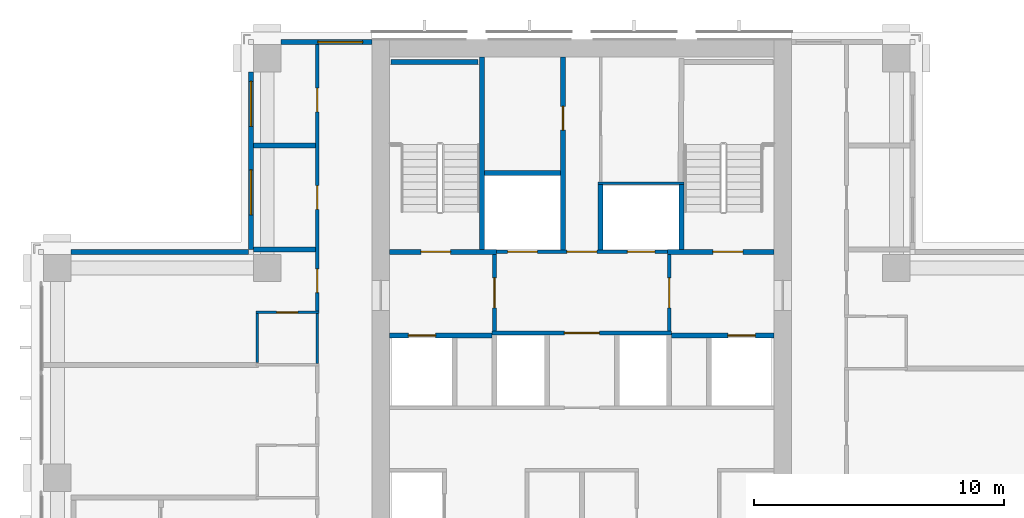
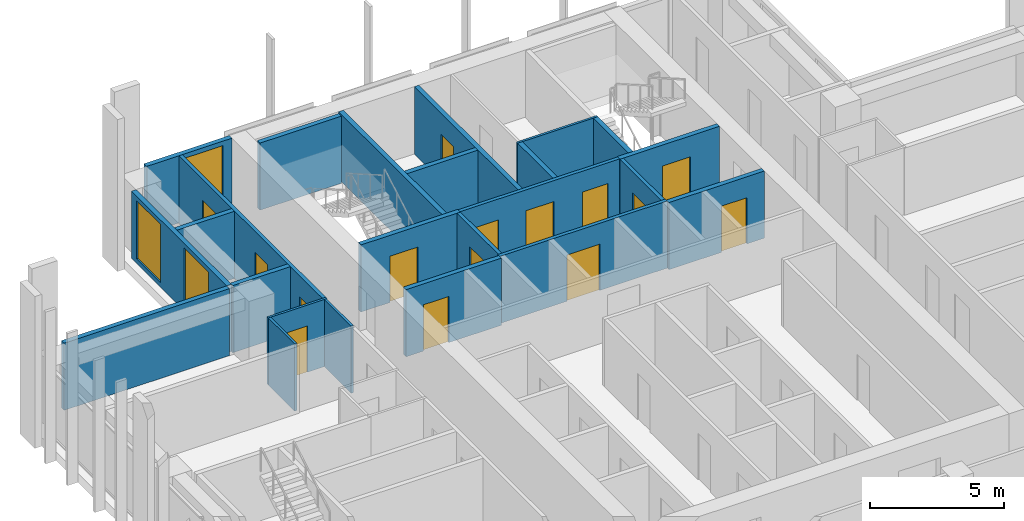
# One storey, part 12 of 17: 24 walls, 15 doors, 3 windows, 18 openings.
"""IFC4 building model written with IfcOpenShell, lengths in metres."""

import ifcopenshell
import ifcopenshell.guid

model = None  # the IFC model being written
_history = None  # IfcOwnerHistory: only IFC2X3 demands one
_inside = {}  # id of a spatial element -> (the spatial element, [elements in it])
_under = {}  # id of a project, library or spatial element -> (it, [spatial elements below it])
_declared = {}  # id of a project -> (the project, [libraries it declares])
_typed = {}  # id of a type object -> (the type object, [elements of that type])
_made_of = {}  # id of a material, layer set ... -> (it, [elements and type objects made of it])


def new_model(schema):
    """Start an empty IFC model of exactly this schema.

    Asked for "IFC4X3", IfcOpenShell would pick the latest addendum, in which some entities
    have other attributes; the version numbers below select the first issue.
    IFC2X3 requires an IfcOwnerHistory on every rooted entity: one is made here for all.
    """
    global model, _history
    if schema == "IFC4X3":
        model = ifcopenshell.file(schema_version=(4, 3, 0, 0))
    else:
        model = ifcopenshell.file(schema=schema)
    _inside.clear()
    _under.clear()
    _declared.clear()
    _typed.clear()
    _made_of.clear()
    _history = None
    if model.schema == "IFC2X3":
        org = make("IfcOrganization", Name="unknown")
        user = make(
            "IfcPersonAndOrganization",
            ThePerson=make("IfcPerson", FamilyName="unknown"),
            TheOrganization=org,
        )
        app = make(
            "IfcApplication",
            ApplicationDeveloper=org,
            Version="unknown",
            ApplicationFullName="unknown",
            ApplicationIdentifier="unknown",
        )
        _history = make(
            "IfcOwnerHistory",
            OwningUser=user,
            OwningApplication=app,
            ChangeAction="ADDED",
            CreationDate=0,
        )
    return model


def make(cls, **values):
    """One entity of the class cls with the attributes given. An attribute that is None is left unset."""
    return model.create_entity(
        cls, **{name: value for name, value in values.items() if value is not None}
    )


def rooted(cls, **values):
    """An entity with a GlobalId (a new one), such as an element, a storey or a relation."""
    return make(cls, GlobalId=ifcopenshell.guid.new(), OwnerHistory=_history, **values)


def si_unit(unit_type, name, prefix=None):
    """IfcSIUnit, for example si_unit("LENGTHUNIT", "METRE", prefix="MILLI")."""
    return make("IfcSIUnit", UnitType=unit_type, Prefix=prefix, Name=name)


def assignment(units):
    """IfcUnitAssignment: the units of a project."""
    return None if units is None else make("IfcUnitAssignment", Units=units)


def point(xyz):
    """IfcCartesianPoint."""
    return None if xyz is None else make("IfcCartesianPoint", Coordinates=xyz)


def direction(xyz):
    """IfcDirection."""
    return None if xyz is None else make("IfcDirection", DirectionRatios=xyz)


def frame(location, z_axis=None, x_axis=None):
    """IfcAxis2Placement3D, a coordinate frame: its origin and axes. An axis left out is left unset."""
    return make(
        "IfcAxis2Placement3D",
        Location=point(location),
        Axis=direction(z_axis),
        RefDirection=direction(x_axis),
    )


def frame_2d(location, x_axis=None):
    """IfcAxis2Placement2D, a coordinate frame in the plane: its origin and x axis."""
    return make(
        "IfcAxis2Placement2D", Location=point(location), RefDirection=direction(x_axis)
    )


def origin():
    """The frame at (0, 0, 0) with its axes left unset."""
    return frame((0.0, 0.0, 0.0))


def place(relative_to, where):
    """IfcLocalPlacement: puts the frame where relative to a parent placement (None: the world)."""
    return make(
        "IfcLocalPlacement", PlacementRelTo=relative_to, RelativePlacement=where
    )


def context(
    kind, dimensions, precision=None, world=None, true_north=None, identifier=None
):
    """IfcGeometricRepresentationContext, for example the 3D "Model" context."""
    return make(
        "IfcGeometricRepresentationContext",
        ContextIdentifier=identifier,
        ContextType=kind,
        CoordinateSpaceDimension=dimensions,
        Precision=precision,
        WorldCoordinateSystem=world,
        TrueNorth=true_north,
    )


def subcontext(parent, identifier, kind, view, scale=None):
    """IfcGeometricRepresentationSubContext, for example "Body" below "Model"."""
    return make(
        "IfcGeometricRepresentationSubContext",
        ContextIdentifier=identifier,
        ContextType=kind,
        ParentContext=parent,
        TargetScale=scale,
        TargetView=view,
    )


def project(units=None, contexts=None):
    """IfcProject with its units and contexts."""
    return rooted(
        "IfcProject",
        Name="project",
        RepresentationContexts=contexts,
        UnitsInContext=assignment(units),
    )


def spatial(cls, under=None, at=None, **own):
    """A site, building, storey or space (cls), placed at a placement, below another one or the project."""
    s = rooted(cls, ObjectPlacement=at, **own)
    if under is not None:
        _under.setdefault(under.id(), (under, []))[1].append(s)
    return s


def profile(cls, at=None, kind="AREA", **sizes):
    """A parametric profile (cls). Its sizes go by their IFC names, for example OverallWidth=200.0."""
    return make(cls, ProfileType=kind, Position=at, **sizes)


def rectangle(**sizes):
    """IfcRectangleProfileDef."""
    return profile("IfcRectangleProfileDef", **sizes)


def extrude(swept, where, along, depth):
    """IfcExtrudedAreaSolid: the profile swept, set in the frame where, extruded along a direction by depth."""
    return make(
        "IfcExtrudedAreaSolid",
        SweptArea=swept,
        Position=where,
        ExtrudedDirection=direction(along),
        Depth=depth,
    )


def shape(context_of_items, identifier, shape_type, items):
    """IfcShapeRepresentation: the items that make up one representation, for example the "Body"."""
    return make(
        "IfcShapeRepresentation",
        ContextOfItems=context_of_items,
        RepresentationIdentifier=identifier,
        RepresentationType=shape_type,
        Items=items,
    )


def material(Name=None, Category=None):
    """IfcMaterial."""
    return make("IfcMaterial", Name=Name, Category=Category)


def layer(
    of_material, thickness, ventilated=None, Name=None, Category=None, Priority=None
):
    """IfcMaterialLayer: one layer of a wall or slab, of a material (None: an air gap)."""
    return make(
        "IfcMaterialLayer",
        Material=of_material,
        LayerThickness=thickness,
        IsVentilated=ventilated,
        Name=Name,
        Category=Category,
        Priority=Priority,
    )


def layer_set(layers, Name=None):
    """IfcMaterialLayerSet."""
    return make("IfcMaterialLayerSet", MaterialLayers=layers, LayerSetName=Name)


def made_of(thing, what):
    """Note that an element or type object is made of a material, layer set ...; save() writes the relation."""
    if what is not None:
        _made_of.setdefault(what.id(), (what, []))[1].append(thing)
    return thing


def type_object(cls, material=None, **own):
    """A type object (cls), such as IfcWallType, which elements share."""
    return made_of(rooted(cls, **own), material)


def element(
    cls,
    number,
    at=None,
    inside=None,
    cuts=None,
    type_object=None,
    material=None,
    context=None,
    identifier="Body",
    shape_type=None,
    held_by="IfcProductDefinitionShape",
    body=None,
    shapes=None,
    **own,
):
    """One element of the class cls, such as IfcWall. Its Tag is "e" and its number.

    at: its placement. inside: the storey or other place that contains it. cuts: it is an
    opening in that element (IfcRelVoidsElement). A single representation is given by context,
    identifier, shape_type and body (its items); several are given by shapes. held_by: the class
    of the entity that holds the representations. save() writes the other relations.
    """
    e = rooted(cls, Tag="e%d" % number, ObjectPlacement=at, **own)
    if body is not None:
        shapes = [shape(context, identifier, shape_type, body)]
    if shapes is not None:
        e.Representation = make(held_by, Representations=shapes)
    if inside is not None:
        _inside.setdefault(inside.id(), (inside, []))[1].append(e)
    if cuts is not None:
        rooted(
            "IfcRelVoidsElement", RelatingBuildingElement=cuts, RelatedOpeningElement=e
        )
    if type_object is not None:
        _typed.setdefault(type_object.id(), (type_object, []))[1].append(e)
    return made_of(e, material)


def fill(opening, filler):
    """IfcRelFillsElement: the door or window that sits in an opening."""
    return rooted(
        "IfcRelFillsElement",
        RelatingOpeningElement=opening,
        RelatedBuildingElement=filler,
    )


def aggregate(whole, parts):
    """IfcRelAggregates: a whole, such as a stair, and the parts it consists of."""
    return rooted("IfcRelAggregates", RelatingObject=whole, RelatedObjects=parts)


def save(model, path):
    """Write the relations noted so far, then the file.

    IfcRelAggregates (storeys below a building ...), IfcRelContainedInSpatialStructure (elements
    in a storey), IfcRelDefinesByType, IfcRelAssociatesMaterial and IfcRelDeclares: one each for
    every whole, place, type object, material and project.
    """
    for whole, parts in _under.values():
        aggregate(whole, parts)
    for where, things in _inside.values():
        rooted(
            "IfcRelContainedInSpatialStructure",
            RelatedElements=things,
            RelatingStructure=where,
        )
    for kind, things in _typed.values():
        rooted("IfcRelDefinesByType", RelatedObjects=things, RelatingType=kind)
    for what, things in _made_of.values():
        rooted("IfcRelAssociatesMaterial", RelatedObjects=things, RelatingMaterial=what)
    for by, libraries in _declared.values():
        rooted("IfcRelDeclares", RelatingContext=by, RelatedDefinitions=libraries)
    model.write(path)


model = new_model("IFC4")

# Units and contexts
model_context = context("Model", 3, precision=1e-05, world=origin(), true_north=direction((0.0, 1.0)))
body_context = subcontext(model_context, "Body", "Model", "MODEL_VIEW")
ifc_project = project(units=[si_unit("LENGTHUNIT", "METRE"), si_unit("AREAUNIT", "SQUARE_METRE"), si_unit("VOLUMEUNIT", "CUBIC_METRE"), si_unit("PLANEANGLEUNIT", "RADIAN"), si_unit("MASSUNIT", "GRAM", prefix="KILO")], contexts=[model_context])

# Site, building, storey
site_placement = place(None, origin())
site = spatial("IfcSite", under=ifc_project, at=site_placement, CompositionType="ELEMENT")
building_placement = place(site_placement, origin())
building = spatial("IfcBuilding", under=site, at=building_placement, Name="Vermilion Ogive Tower", CompositionType="ELEMENT")
storey_placement = place(building_placement, frame((0.0, 0.0, 157.25)))
storey = spatial("IfcBuildingStorey", under=building, at=storey_placement, Name="L40", CompositionType="ELEMENT", Elevation=157.25)

# Wall, opening, door
ifc_material_1 = material(Name="Gypsum board partition on steel studs", Category="steel")
ifc_layer_1 = layer(ifc_material_1, 0.10009765625)
ifc_layer_set_1 = layer_set([ifc_layer_1], Name="Partition 100 bath")
wall_type_1 = type_object("IfcWallType", Name="Partition 100 bath", PredefinedType="PARTITIONING", material=ifc_layer_set_1)
wall_1_placement = place(storey_placement, frame((-13.050048828125, 10.820068359375, 0.0), z_axis=(0.0, 0.0, 1.0), x_axis=(1.0, 0.0, 0.0)))
wall_1 = element("IfcWall", 1, at=wall_1_placement, inside=storey, type_object=wall_type_1, Name="L40-W-W035", PredefinedType="PARTITIONING", context=body_context, shape_type="SweptSolid", body=[
    extrude(rectangle(XDim=2.525146484375, YDim=0.10009765625, at=frame_2d((1.2626953125, 0.0))), origin(), (0.0, 0.0, 1.0), 3.050048828125),
])
opening_1_placement = place(wall_1_placement, frame((0.824951171875, 0.0, 0.0)))
opening_1 = element("IfcOpeningElement", 2, at=opening_1_placement, cuts=wall_1, Name="Opening D3G4006", PredefinedType="OPENING", context=body_context, shape_type="SweptSolid", body=[
    extrude(rectangle(XDim=0.85009765625, YDim=2.10009765625, at=frame_2d((0.425048828125, 1.050048828125))), frame((0.0, 0.06005859375, 0.0), z_axis=(0.0, -1.0, 0.0), x_axis=(1.0, 0.0, 0.0)), (0.0, 0.0, 1.0), 0.1201171875),
])
ifc_material_2 = material(Name="Timber door leaf", Category="wood")
door_type_1 = type_object("IfcDoorType", Name="Bath door 850 x 2100 FD30", OperationType="SINGLE_SWING_LEFT", PredefinedType="DOOR", material=ifc_material_2)
door_1_placement = place(opening_1_placement, origin())
door_1 = element("IfcDoor", 3, at=door_1_placement, inside=storey, type_object=door_type_1, Name="L40-D-D006", OperationType="SINGLE_SWING_RIGHT", OverallHeight=2.10009765625, OverallWidth=0.85009765625, PredefinedType="DOOR", context=body_context, shape_type="SweptSolid", body=[
    extrude(rectangle(XDim=0.85009765625, YDim=2.10009765625, at=frame_2d((0.425048828125, 1.050048828125))), frame((0.0, 0.02490234375, 0.0), z_axis=(0.0, -1.0, 0.0), x_axis=(1.0, 0.0, 0.0)), (0.0, 0.0, 1.0), 0.050048828125),
])
fill(opening_1, door_1)

# Walls
wall_2_placement = place(storey_placement, frame((-13.0, 8.820068359375, 0.0), z_axis=(0.0, 0.0, 1.0), x_axis=(0.0, 1.0, 0.0)))
element("IfcWall", 4, at=wall_2_placement, inside=storey, type_object=wall_type_1, Name="L40-W-W044", PredefinedType="PARTITIONING", context=body_context, shape_type="SweptSolid", body=[
    extrude(rectangle(XDim=1.949951171875, YDim=0.10009765625, at=frame_2d((0.97509765625, 0.0))), origin(), (0.0, 0.0, 1.0), 3.050048828125),
])
wall_3_placement = place(storey_placement, frame((-10.60009765625, 8.77001953125, 0.0), z_axis=(0.0, 0.0, 1.0), x_axis=(0.0, 1.0, 0.0)))
element("IfcWall", 5, at=wall_3_placement, inside=storey, type_object=wall_type_1, Name="L40-W-W052", PredefinedType="PARTITIONING", context=body_context, shape_type="SweptSolid", body=[
    extrude(rectangle(XDim=2.0, YDim=0.10009765625, at=frame_2d((1.0, 0.0))), origin(), (0.0, 0.0, 1.0), 3.050048828125),
])
wall_4_placement = place(storey_placement, frame((0.64990234375, 16.0, 0.0), z_axis=(0.0, 0.0, 1.0), x_axis=(1.0, 0.0, 0.0)))
element("IfcWall", 6, at=wall_4_placement, inside=storey, type_object=wall_type_1, Name="L40-CK-W-W018", PredefinedType="PARTITIONING", context=body_context, shape_type="SweptSolid", body=[
    extrude(rectangle(XDim=3.4501953125, YDim=0.10009765625, at=frame_2d((1.72509765625, 0.0))), origin(), (0.0, 0.0, 1.0), 3.050048828125),
])

# Wall, openings, doors
ifc_material_3 = material(Name="Gypsum board partition on steel studs", Category="steel")
ifc_layer_2 = layer(ifc_material_3, 0.14990234375)
ifc_layer_set_2 = layer_set([ifc_layer_2], Name="Partition 150 corridor")
wall_type_2 = type_object("IfcWallType", Name="Partition 150 corridor", PredefinedType="PARTITIONING", material=ifc_layer_set_2)
wall_5_placement = place(storey_placement, frame((-10.60009765625, 10.8701171875, 0.0), z_axis=(0.0, 0.0, 1.0), x_axis=(0.0, 1.0, 0.0)))
wall_5 = element("IfcWall", 7, at=wall_5_placement, inside=storey, type_object=wall_type_2, Name="L40-W-W053", PredefinedType="PARTITIONING", context=body_context, shape_type="SweptSolid", body=[
    extrude(rectangle(XDim=10.679931640625, YDim=0.14990234375, at=frame_2d((5.33984375, 0.0))), origin(), (0.0, 0.0, 1.0), 3.050048828125),
])
opening_2_placement = place(wall_5_placement, frame((0.739990234375, 0.0, 0.0)))
opening_2 = element("IfcOpeningElement", 8, at=opening_2_placement, cuts=wall_5, Name="Opening D3G4005", PredefinedType="OPENING", context=body_context, shape_type="SweptSolid", body=[
    extrude(rectangle(XDim=0.949951171875, YDim=2.10009765625, at=frame_2d((0.47509765625, 1.050048828125))), frame((0.0, 0.0849609375, 0.0), z_axis=(0.0, -1.0, 0.0), x_axis=(1.0, 0.0, 0.0)), (0.0, 0.0, 1.0), 0.169921875),
])
opening_3_placement = place(wall_5_placement, frame((4.079833984375, 0.0, 0.0)))
opening_3 = element("IfcOpeningElement", 9, at=opening_3_placement, cuts=wall_5, Name="Opening D3G4007", PredefinedType="OPENING", context=body_context, shape_type="SweptSolid", body=[
    extrude(rectangle(XDim=0.949951171875, YDim=2.10009765625, at=frame_2d((0.47509765625, 1.050048828125))), frame((0.0, 0.0849609375, 0.0), z_axis=(0.0, -1.0, 0.0), x_axis=(1.0, 0.0, 0.0)), (0.0, 0.0, 1.0), 0.169921875),
])
opening_4_placement = place(wall_5_placement, frame((7.97998046875, 0.0, 0.0)))
opening_4 = element("IfcOpeningElement", 10, at=opening_4_placement, cuts=wall_5, Name="Opening D3G4008", PredefinedType="OPENING", context=body_context, shape_type="SweptSolid", body=[
    extrude(rectangle(XDim=0.949951171875, YDim=2.10009765625, at=frame_2d((0.47509765625, 1.050048828125))), frame((0.0, 0.0849609375, 0.0), z_axis=(0.0, -1.0, 0.0), x_axis=(1.0, 0.0, 0.0)), (0.0, 0.0, 1.0), 0.169921875),
])
ifc_material_4 = material(Name="Timber door leaf", Category="wood")
door_type_2 = type_object("IfcDoorType", Name="Unit door 950 x 2100 FD30S", OperationType="SINGLE_SWING_LEFT", PredefinedType="DOOR", material=ifc_material_4)
door_2_placement = place(opening_2_placement, origin())
door_2 = element("IfcDoor", 11, at=door_2_placement, inside=storey, type_object=door_type_2, Name="L40-D-D005", OperationType="SINGLE_SWING_LEFT", OverallHeight=2.10009765625, OverallWidth=0.949951171875, PredefinedType="DOOR", context=body_context, shape_type="SweptSolid", body=[
    extrude(rectangle(XDim=0.949951171875, YDim=2.10009765625, at=frame_2d((0.47509765625, 1.050048828125))), frame((0.0, 0.02490234375, 0.0), z_axis=(0.0, -1.0, 0.0), x_axis=(1.0, 0.0, 0.0)), (0.0, 0.0, 1.0), 0.050048828125),
])
fill(opening_2, door_2)
door_3_placement = place(opening_3_placement, origin())
door_3 = element("IfcDoor", 12, at=door_3_placement, inside=storey, type_object=door_type_2, Name="L40-D-D007", OperationType="SINGLE_SWING_LEFT", OverallHeight=2.10009765625, OverallWidth=0.949951171875, PredefinedType="DOOR", context=body_context, shape_type="SweptSolid", body=[
    extrude(rectangle(XDim=0.949951171875, YDim=2.10009765625, at=frame_2d((0.47509765625, 1.050048828125))), frame((0.0, 0.02490234375, 0.0), z_axis=(0.0, -1.0, 0.0), x_axis=(1.0, 0.0, 0.0)), (0.0, 0.0, 1.0), 0.050048828125),
])
fill(opening_3, door_3)
door_4_placement = place(opening_4_placement, origin())
door_4 = element("IfcDoor", 13, at=door_4_placement, inside=storey, type_object=door_type_2, Name="L40-D-D008", OperationType="SINGLE_SWING_RIGHT", OverallHeight=2.10009765625, OverallWidth=0.949951171875, PredefinedType="DOOR", context=body_context, shape_type="SweptSolid", body=[
    extrude(rectangle(XDim=0.949951171875, YDim=2.10009765625, at=frame_2d((0.47509765625, 1.050048828125))), frame((0.0, 0.02490234375, 0.0), z_axis=(0.0, -1.0, 0.0), x_axis=(1.0, 0.0, 0.0)), (0.0, 0.0, 1.0), 0.050048828125),
])
fill(opening_4, door_4)

# Wall, opening, door
wall_6_placement = place(storey_placement, frame((-3.60009765625, 10.0, 0.0), z_axis=(0.0, 0.0, 1.0), x_axis=(1.0, 0.0, 0.0)))
wall_6 = element("IfcWall", 14, at=wall_6_placement, inside=storey, type_object=wall_type_2, Name="L40-CK-W-W014", PredefinedType="PARTITIONING", context=body_context, shape_type="SweptSolid", body=[
    extrude(rectangle(XDim=7.2001953125, YDim=0.14990234375, at=frame_2d((3.60009765625, 0.0))), origin(), (0.0, 0.0, 1.0), 3.050048828125),
])
opening_5_placement = place(wall_6_placement, frame((2.900146484375, 0.0, 0.0)))
opening_5 = element("IfcOpeningElement", 15, at=opening_5_placement, cuts=wall_6, Name="Opening DAA350", PredefinedType="OPENING", context=body_context, shape_type="SweptSolid", body=[
    extrude(rectangle(XDim=1.39990234375, YDim=2.10009765625, at=frame_2d((0.699951171875, 1.050048828125))), frame((0.0, 0.0849609375, 0.0), z_axis=(0.0, -1.0, 0.0), x_axis=(1.0, 0.0, 0.0)), (0.0, 0.0, 1.0), 0.169921875),
])
ifc_material_5 = material(Name="Timber door leaf", Category="wood")
door_type_3 = type_object("IfcDoorType", Name="Lobby door 1400 x 2100 FD60S", OperationType="SINGLE_SWING_LEFT", PredefinedType="DOOR", material=ifc_material_5)
door_5_placement = place(opening_5_placement, origin())
door_5 = element("IfcDoor", 16, at=door_5_placement, inside=storey, type_object=door_type_3, Name="L40-CK-D-D017", OperationType="SINGLE_SWING_RIGHT", OverallHeight=2.10009765625, OverallWidth=1.39990234375, PredefinedType="DOOR", context=body_context, shape_type="SweptSolid", body=[
    extrude(rectangle(XDim=1.39990234375, YDim=2.10009765625, at=frame_2d((0.699951171875, 1.050048828125))), frame((0.0, 0.02490234375, 0.0), z_axis=(0.0, -1.0, 0.0), x_axis=(1.0, 0.0, 0.0)), (0.0, 0.0, 1.0), 0.050048828125),
])
fill(opening_5, door_5)

# Wall, openings, doors
wall_7_placement = place(storey_placement, frame((-3.574951171875, 13.25, 0.0), z_axis=(0.0, 0.0, 1.0), x_axis=(1.0, 0.0, 0.0)))
wall_7 = element("IfcWall", 17, at=wall_7_placement, inside=storey, type_object=wall_type_2, Name="L40-CK-W-W016", PredefinedType="PARTITIONING", context=body_context, shape_type="SweptSolid", body=[
    extrude(rectangle(XDim=7.14990234375, YDim=0.14990234375, at=frame_2d((3.574951171875, 0.0))), origin(), (0.0, 0.0, 1.0), 3.050048828125),
])
opening_6_placement = place(wall_7_placement, frame((0.599853515625, 0.0, 0.0)))
opening_6 = element("IfcOpeningElement", 18, at=opening_6_placement, cuts=wall_7, Name="Opening DAA370", PredefinedType="OPENING", context=body_context, shape_type="SweptSolid", body=[
    extrude(rectangle(XDim=1.199951171875, YDim=2.10009765625, at=frame_2d((0.60009765625, 1.050048828125))), frame((0.0, 0.0849609375, 0.0), z_axis=(0.0, -1.0, 0.0), x_axis=(1.0, 0.0, 0.0)), (0.0, 0.0, 1.0), 0.169921875),
])
opening_7_placement = place(wall_7_placement, frame((5.39990234375, 0.0, 0.0)))
opening_7 = element("IfcOpeningElement", 19, at=opening_7_placement, cuts=wall_7, Name="Opening DAA369", PredefinedType="OPENING", context=body_context, shape_type="SweptSolid", body=[
    extrude(rectangle(XDim=1.10009765625, YDim=2.10009765625, at=frame_2d((0.550048828125, 1.050048828125))), frame((0.0, 0.0849609375, 0.0), z_axis=(0.0, -1.0, 0.0), x_axis=(1.0, 0.0, 0.0)), (0.0, 0.0, 1.0), 0.169921875),
])
opening_8_placement = place(wall_7_placement, frame((2.974853515625, 0.0, 0.0)))
opening_8 = element("IfcOpeningElement", 20, at=opening_8_placement, cuts=wall_7, Name="Opening DAA351", PredefinedType="OPENING", context=body_context, shape_type="SweptSolid", body=[
    extrude(rectangle(XDim=1.199951171875, YDim=2.10009765625, at=frame_2d((0.60009765625, 1.050048828125))), frame((0.0, 0.0849609375, 0.0), z_axis=(0.0, -1.0, 0.0), x_axis=(1.0, 0.0, 0.0)), (0.0, 0.0, 1.0), 0.169921875),
])
ifc_material_6 = material(Name="Stainless steel", Category="steel")
door_type_4 = type_object("IfcDoorType", Name="Lift landing door 1100 x 2100", OperationType="SLIDING_TO_LEFT", PredefinedType="DOOR", material=ifc_material_6)
door_6_placement = place(opening_7_placement, origin())
door_6 = element("IfcDoor", 21, at=door_6_placement, inside=storey, type_object=door_type_4, Name="L40-CK-D-D019", OperationType="SLIDING_TO_LEFT", OverallHeight=2.10009765625, OverallWidth=1.10009765625, PredefinedType="DOOR", context=body_context, shape_type="SweptSolid", body=[
    extrude(rectangle(XDim=1.10009765625, YDim=2.10009765625, at=frame_2d((0.550048828125, 1.050048828125))), frame((0.0, 0.02490234375, 0.0), z_axis=(0.0, -1.0, 0.0), x_axis=(1.0, 0.0, 0.0)), (0.0, 0.0, 1.0), 0.050048828125),
])
fill(opening_7, door_6)
ifc_material_7 = material(Name="Stainless steel", Category="steel")
door_type_5 = type_object("IfcDoorType", Name="Lift landing door 1200 x 2100", OperationType="SLIDING_TO_LEFT", PredefinedType="DOOR", material=ifc_material_7)
door_7_placement = place(opening_6_placement, origin())
door_7 = element("IfcDoor", 22, at=door_7_placement, inside=storey, type_object=door_type_5, Name="L40-CK-D-D018", OperationType="SLIDING_TO_RIGHT", OverallHeight=2.10009765625, OverallWidth=1.199951171875, PredefinedType="DOOR", context=body_context, shape_type="SweptSolid", body=[
    extrude(rectangle(XDim=1.199951171875, YDim=2.10009765625, at=frame_2d((0.60009765625, 1.050048828125))), frame((0.0, 0.02490234375, 0.0), z_axis=(0.0, -1.0, 0.0), x_axis=(1.0, 0.0, 0.0)), (0.0, 0.0, 1.0), 0.050048828125),
])
fill(opening_6, door_7)
ifc_material_8 = material(Name="Timber door leaf", Category="wood")
door_type_6 = type_object("IfcDoorType", Name="Service door 1200 x 2100 FD60", OperationType="SINGLE_SWING_LEFT", PredefinedType="DOOR", material=ifc_material_8)
door_8_placement = place(opening_8_placement, origin())
door_8 = element("IfcDoor", 23, at=door_8_placement, inside=storey, type_object=door_type_6, Name="L40-CK-D-D020", OperationType="SINGLE_SWING_RIGHT", OverallHeight=2.10009765625, OverallWidth=1.199951171875, PredefinedType="DOOR", context=body_context, shape_type="SweptSolid", body=[
    extrude(rectangle(XDim=1.199951171875, YDim=2.10009765625, at=frame_2d((0.60009765625, 1.050048828125))), frame((0.0, 0.02490234375, 0.0), z_axis=(0.0, -1.0, 0.0), x_axis=(1.0, 0.0, 0.0)), (0.0, 0.0, 1.0), 0.050048828125),
])
fill(opening_8, door_8)

# Wall, opening, door
wall_8_placement = place(storey_placement, frame((-3.5, 10.074951171875, 0.0), z_axis=(0.0, 0.0, 1.0), x_axis=(0.0, 1.0, 0.0)))
wall_8 = element("IfcWall", 24, at=wall_8_placement, inside=storey, type_object=wall_type_2, Name="L40-CK-W-W024", PredefinedType="PARTITIONING", context=body_context, shape_type="SweptSolid", body=[
    extrude(rectangle(XDim=3.074951171875, YDim=0.14990234375, at=frame_2d((1.53759765625, 0.0))), origin(), (0.0, 0.0, 1.0), 3.050048828125),
])
opening_9_placement = place(wall_8_placement, frame((0.925048828125, 0.0, 0.0)))
opening_9 = element("IfcOpeningElement", 25, at=opening_9_placement, cuts=wall_8, Name="Opening DAA347", PredefinedType="OPENING", context=body_context, shape_type="SweptSolid", body=[
    extrude(rectangle(XDim=1.199951171875, YDim=2.10009765625, at=frame_2d((0.60009765625, 1.050048828125))), frame((0.0, 0.0849609375, 0.0), z_axis=(0.0, -1.0, 0.0), x_axis=(1.0, 0.0, 0.0)), (0.0, 0.0, 1.0), 0.169921875),
])
ifc_material_9 = material(Name="Timber door leaf", Category="wood")
door_type_7 = type_object("IfcDoorType", Name="Lobby door 1200 x 2100 FD60S", OperationType="SINGLE_SWING_LEFT", PredefinedType="DOOR", material=ifc_material_9)
door_9_placement = place(opening_9_placement, origin())
door_9 = element("IfcDoor", 26, at=door_9_placement, inside=storey, type_object=door_type_7, Name="L40-CK-D-D023", OperationType="SINGLE_SWING_RIGHT", OverallHeight=2.10009765625, OverallWidth=1.199951171875, PredefinedType="DOOR", context=body_context, shape_type="SweptSolid", body=[
    extrude(rectangle(XDim=1.199951171875, YDim=2.10009765625, at=frame_2d((0.60009765625, 1.050048828125))), frame((0.0, 0.02490234375, 0.0), z_axis=(0.0, -1.0, 0.0), x_axis=(1.0, 0.0, 0.0)), (0.0, 0.0, 1.0), 0.050048828125),
])
fill(opening_9, door_9)

wall_9_placement = place(storey_placement, frame((3.5, 10.074951171875, 0.0), z_axis=(0.0, 0.0, 1.0), x_axis=(0.0, 1.0, 0.0)))
wall_9 = element("IfcWall", 27, at=wall_9_placement, inside=storey, type_object=wall_type_2, Name="L40-CK-W-W034", PredefinedType="PARTITIONING", context=body_context, shape_type="SweptSolid", body=[
    extrude(rectangle(XDim=3.074951171875, YDim=0.14990234375, at=frame_2d((1.53759765625, 0.0))), origin(), (0.0, 0.0, 1.0), 3.050048828125),
])
opening_10_placement = place(wall_9_placement, frame((0.925048828125, 0.0, 0.0)))
opening_10 = element("IfcOpeningElement", 28, at=opening_10_placement, cuts=wall_9, Name="Opening DAA348", PredefinedType="OPENING", context=body_context, shape_type="SweptSolid", body=[
    extrude(rectangle(XDim=1.199951171875, YDim=2.10009765625, at=frame_2d((0.60009765625, 1.050048828125))), frame((0.0, 0.0849609375, 0.0), z_axis=(0.0, -1.0, 0.0), x_axis=(1.0, 0.0, 0.0)), (0.0, 0.0, 1.0), 0.169921875),
])
door_10_placement = place(opening_10_placement, origin())
door_10 = element("IfcDoor", 29, at=door_10_placement, inside=storey, type_object=door_type_7, Name="L40-CK-D-D024", OperationType="SINGLE_SWING_LEFT", OverallHeight=2.10009765625, OverallWidth=1.199951171875, PredefinedType="DOOR", context=body_context, shape_type="SweptSolid", body=[
    extrude(rectangle(XDim=1.199951171875, YDim=2.10009765625, at=frame_2d((0.60009765625, 1.050048828125))), frame((0.0, 0.02490234375, 0.0), z_axis=(0.0, -1.0, 0.0), x_axis=(1.0, 0.0, 0.0)), (0.0, 0.0, 1.0), 0.050048828125),
])
fill(opening_10, door_10)

# Walls
ifc_material_10 = material(Name="Gypsum board partition on steel studs", Category="steel")
ifc_layer_3 = layer(ifc_material_10, 0.199951171875)
ifc_layer_set_3 = layer_set([ifc_layer_3], Name="Partition 200 party")
wall_type_3 = type_object("IfcWallType", Name="Partition 200 party", PredefinedType="PARTITIONING", material=ifc_layer_set_3)
for number, where, z_axis, x_axis, name in (
    (30, (-13.14990234375, 13.35009765625, 0.0), (0.0, 0.0, 1.0), (1.0, 0.0, 0.0), "L40-W-W036"),
    (31, (-13.14990234375, 17.5, 0.0), (0.0, 0.0, 1.0), (1.0, 0.0, 0.0), "L40-W-W038"),
):
    element("IfcWall", number, at=place(storey_placement, frame(where, z_axis=z_axis, x_axis=x_axis)), inside=storey, type_object=wall_type_3, Name=name, PredefinedType="PARTITIONING", context=body_context, shape_type="SweptSolid", body=[
        extrude(rectangle(XDim=2.474853515625, YDim=0.199951171875, at=frame_2d((1.2373046875, 0.0))), origin(), (0.0, 0.0, 1.0), 3.050048828125),
    ])

# Wall, opening, door
wall_10_placement = place(storey_placement, frame((-7.698974609375, 9.89990234375, 0.0), z_axis=(0.0, 0.0, 1.0), x_axis=(1.0, 0.0, 0.0)))
wall_10 = element("IfcWall", 32, at=wall_10_placement, inside=storey, type_object=wall_type_3, Name="L40-CK-W-W012", PredefinedType="PARTITIONING", context=body_context, shape_type="SweptSolid", body=[
    extrude(rectangle(XDim=4.098876953125, YDim=0.199951171875, at=frame_2d((2.04931640625, 0.0))), origin(), (0.0, 0.0, 1.0), 3.050048828125),
])
opening_11_placement = place(wall_10_placement, frame((0.7490234375, 0.0, 0.0)))
opening_11 = element("IfcOpeningElement", 33, at=opening_11_placement, cuts=wall_10, Name="Opening DAA367", PredefinedType="OPENING", context=body_context, shape_type="SweptSolid", body=[
    extrude(rectangle(XDim=1.10009765625, YDim=2.10009765625, at=frame_2d((0.550048828125, 1.050048828125))), frame((0.0, 0.10986328125, 0.0), z_axis=(0.0, -1.0, 0.0), x_axis=(1.0, 0.0, 0.0)), (0.0, 0.0, 1.0), 0.219970703125),
])
door_11_placement = place(opening_11_placement, origin())
door_11 = element("IfcDoor", 34, at=door_11_placement, inside=storey, type_object=door_type_4, Name="L40-CK-D-D013", OperationType="SLIDING_TO_RIGHT", OverallHeight=2.10009765625, OverallWidth=1.10009765625, PredefinedType="DOOR", context=body_context, shape_type="SweptSolid", body=[
    extrude(rectangle(XDim=1.10009765625, YDim=2.10009765625, at=frame_2d((0.550048828125, 1.050048828125))), frame((0.0, 0.02490234375, 0.0), z_axis=(0.0, -1.0, 0.0), x_axis=(1.0, 0.0, 0.0)), (0.0, 0.0, 1.0), 0.050048828125),
])
fill(opening_11, door_11)

wall_11_placement = place(storey_placement, frame((3.60009765625, 9.89990234375, 0.0), z_axis=(0.0, 0.0, 1.0), x_axis=(1.0, 0.0, 0.0)))
wall_11 = element("IfcWall", 35, at=wall_11_placement, inside=storey, type_object=wall_type_3, Name="L40-CK-W-W013", PredefinedType="PARTITIONING", context=body_context, shape_type="SweptSolid", body=[
    extrude(rectangle(XDim=4.098876953125, YDim=0.199951171875, at=frame_2d((2.04931640625, 0.0))), origin(), (0.0, 0.0, 1.0), 3.050048828125),
])
opening_12_placement = place(wall_11_placement, frame((2.25, 0.0, 0.0)))
opening_12 = element("IfcOpeningElement", 36, at=opening_12_placement, cuts=wall_11, Name="Opening DAA368", PredefinedType="OPENING", context=body_context, shape_type="SweptSolid", body=[
    extrude(rectangle(XDim=1.10009765625, YDim=2.10009765625, at=frame_2d((0.550048828125, 1.050048828125))), frame((0.0, 0.10986328125, 0.0), z_axis=(0.0, -1.0, 0.0), x_axis=(1.0, 0.0, 0.0)), (0.0, 0.0, 1.0), 0.219970703125),
])
door_12_placement = place(opening_12_placement, origin())
door_12 = element("IfcDoor", 37, at=door_12_placement, inside=storey, type_object=door_type_4, Name="L40-CK-D-D015", OperationType="SLIDING_TO_LEFT", OverallHeight=2.10009765625, OverallWidth=1.10009765625, PredefinedType="DOOR", context=body_context, shape_type="SweptSolid", body=[
    extrude(rectangle(XDim=1.10009765625, YDim=2.10009765625, at=frame_2d((0.550048828125, 1.050048828125))), frame((0.0, 0.02490234375, 0.0), z_axis=(0.0, -1.0, 0.0), x_axis=(1.0, 0.0, 0.0)), (0.0, 0.0, 1.0), 0.050048828125),
])
fill(opening_12, door_12)

# Wall
wall_12_placement = place(storey_placement, frame((-3.89990234375, 16.39990234375, 0.0), z_axis=(0.0, 0.0, 1.0), x_axis=(1.0, 0.0, 0.0)))
element("IfcWall", 38, at=wall_12_placement, inside=storey, type_object=wall_type_3, Name="L40-CK-W-W019", PredefinedType="PARTITIONING", context=body_context, shape_type="SweptSolid", body=[
    extrude(rectangle(XDim=3.0498046875, YDim=0.199951171875, at=frame_2d((1.52490234375, 0.0))), origin(), (0.0, 0.0, 1.0), 3.050048828125),
])

# Wall, opening, door
wall_13_placement = place(storey_placement, frame((-0.75, 13.324951171875, 0.0), z_axis=(0.0, 0.0, 1.0), x_axis=(0.0, 1.0, 0.0)))
wall_13 = element("IfcWall", 39, at=wall_13_placement, inside=storey, type_object=wall_type_3, Name="L40-CK-W-W027", PredefinedType="PARTITIONING", context=body_context, shape_type="SweptSolid", body=[
    extrude(rectangle(XDim=7.72412109375, YDim=0.199951171875, at=frame_2d((3.862060546875, 0.0))), origin(), (0.0, 0.0, 1.0), 3.050048828125),
])
opening_13_placement = place(wall_13_placement, frame((4.800048828125, 0.0, 0.0)))
opening_13 = element("IfcOpeningElement", 40, at=opening_13_placement, cuts=wall_13, Name="Opening DAA358", PredefinedType="OPENING", context=body_context, shape_type="SweptSolid", body=[
    extrude(rectangle(XDim=0.949951171875, YDim=2.10009765625, at=frame_2d((0.47509765625, 1.050048828125))), frame((0.0, 0.10986328125, 0.0), z_axis=(0.0, -1.0, 0.0), x_axis=(1.0, 0.0, 0.0)), (0.0, 0.0, 1.0), 0.219970703125),
])
ifc_material_11 = material(Name="Timber door leaf", Category="wood")
door_type_8 = type_object("IfcDoorType", Name="Service door 950 x 2100 FD60", OperationType="SINGLE_SWING_LEFT", PredefinedType="DOOR", material=ifc_material_11)
door_13_placement = place(opening_13_placement, origin())
door_13 = element("IfcDoor", 41, at=door_13_placement, inside=storey, type_object=door_type_8, Name="L40-CK-D-D021", OperationType="SINGLE_SWING_RIGHT", OverallHeight=2.10009765625, OverallWidth=0.949951171875, PredefinedType="DOOR", context=body_context, shape_type="SweptSolid", body=[
    extrude(rectangle(XDim=0.949951171875, YDim=2.10009765625, at=frame_2d((0.47509765625, 1.050048828125))), frame((0.0, 0.02490234375, 0.0), z_axis=(0.0, -1.0, 0.0), x_axis=(1.0, 0.0, 0.0)), (0.0, 0.0, 1.0), 0.050048828125),
])
fill(opening_13, door_13)

# Wall
wall_14_placement = place(storey_placement, frame((0.75, 13.324951171875, 0.0), z_axis=(0.0, 0.0, 1.0), x_axis=(0.0, 1.0, 0.0)))
element("IfcWall", 42, at=wall_14_placement, inside=storey, type_object=wall_type_3, Name="L40-CK-W-W029", PredefinedType="PARTITIONING", context=body_context, shape_type="SweptSolid", body=[
    extrude(rectangle(XDim=2.625, YDim=0.199951171875, at=frame_2d((1.3125, 0.0))), origin(), (0.0, 0.0, 1.0), 3.050048828125),
])

# Wall, opening, door
ifc_material_12 = material(Name="Concrete B60", Category="concrete")
ifc_layer_4 = layer(ifc_material_12, 0.199951171875)
ifc_layer_set_4 = layer_set([ifc_layer_4], Name="Stair shaft wall 200 Concrete B60")
wall_type_4 = type_object("IfcWallType", Name="Stair shaft wall 200 Concrete B60", PredefinedType="SOLIDWALL", material=ifc_layer_set_4)
wall_15_placement = place(storey_placement, frame((-7.698974609375, 13.25, 0.0), z_axis=(0.0, 0.0, 1.0), x_axis=(1.0, 0.0, 0.0)))
wall_15 = element("IfcWall", 43, at=wall_15_placement, inside=storey, type_object=wall_type_4, Name="L40-CK-W-W015", PredefinedType="SOLIDWALL", context=body_context, shape_type="SweptSolid", body=[
    extrude(rectangle(XDim=4.27392578125, YDim=0.199951171875, at=frame_2d((2.136962890625, 0.0))), origin(), (0.0, 0.0, 1.0), 3.050048828125),
])
opening_14_placement = place(wall_15_placement, frame((1.2490234375, 0.0, 0.0)))
opening_14 = element("IfcOpeningElement", 44, at=opening_14_placement, cuts=wall_15, Name="Opening DAA360", PredefinedType="OPENING", context=body_context, shape_type="SweptSolid", body=[
    extrude(rectangle(XDim=1.199951171875, YDim=2.10009765625, at=frame_2d((0.60009765625, 1.050048828125))), frame((0.0, 0.10986328125, 0.0), z_axis=(0.0, -1.0, 0.0), x_axis=(1.0, 0.0, 0.0)), (0.0, 0.0, 1.0), 0.219970703125),
])
ifc_material_13 = material(Name="Timber door leaf", Category="wood")
door_type_9 = type_object("IfcDoorType", Name="Stair door 1200 x 2100 FD60S", OperationType="SINGLE_SWING_LEFT", PredefinedType="DOOR", material=ifc_material_13)
door_14_placement = place(opening_14_placement, origin())
door_14 = element("IfcDoor", 45, at=door_14_placement, inside=storey, type_object=door_type_9, Name="L40-CK-D-D012", OperationType="SINGLE_SWING_LEFT", OverallHeight=2.10009765625, OverallWidth=1.199951171875, PredefinedType="DOOR", context=body_context, shape_type="SweptSolid", body=[
    extrude(rectangle(XDim=1.199951171875, YDim=2.10009765625, at=frame_2d((0.60009765625, 1.050048828125))), frame((0.0, 0.02490234375, 0.0), z_axis=(0.0, -1.0, 0.0), x_axis=(1.0, 0.0, 0.0)), (0.0, 0.0, 1.0), 0.050048828125),
])
fill(opening_14, door_14)

wall_16_placement = place(storey_placement, frame((3.425048828125, 13.25, 0.0), z_axis=(0.0, 0.0, 1.0), x_axis=(1.0, 0.0, 0.0)))
wall_16 = element("IfcWall", 46, at=wall_16_placement, inside=storey, type_object=wall_type_4, Name="L40-CK-W-W017", PredefinedType="SOLIDWALL", context=body_context, shape_type="SweptSolid", body=[
    extrude(rectangle(XDim=4.27392578125, YDim=0.199951171875, at=frame_2d((2.136962890625, 0.0))), origin(), (0.0, 0.0, 1.0), 3.050048828125),
])
opening_15_placement = place(wall_16_placement, frame((1.824951171875, 0.0, 0.0)))
opening_15 = element("IfcOpeningElement", 47, at=opening_15_placement, cuts=wall_16, Name="Opening DAA361", PredefinedType="OPENING", context=body_context, shape_type="SweptSolid", body=[
    extrude(rectangle(XDim=1.199951171875, YDim=2.10009765625, at=frame_2d((0.60009765625, 1.050048828125))), frame((0.0, 0.10986328125, 0.0), z_axis=(0.0, -1.0, 0.0), x_axis=(1.0, 0.0, 0.0)), (0.0, 0.0, 1.0), 0.219970703125),
])
door_15_placement = place(opening_15_placement, origin())
door_15 = element("IfcDoor", 48, at=door_15_placement, inside=storey, type_object=door_type_9, Name="L40-CK-D-D014", OperationType="SINGLE_SWING_RIGHT", OverallHeight=2.10009765625, OverallWidth=1.199951171875, PredefinedType="DOOR", context=body_context, shape_type="SweptSolid", body=[
    extrude(rectangle(XDim=1.199951171875, YDim=2.10009765625, at=frame_2d((0.60009765625, 1.050048828125))), frame((0.0, 0.02490234375, 0.0), z_axis=(0.0, -1.0, 0.0), x_axis=(1.0, 0.0, 0.0)), (0.0, 0.0, 1.0), 0.050048828125),
])
fill(opening_15, door_15)

# Walls
wall_17_placement = place(storey_placement, frame((-4.0, 13.35009765625, 0.0), z_axis=(0.0, 0.0, 1.0), x_axis=(0.0, 1.0, 0.0)))
element("IfcWall", 49, at=wall_17_placement, inside=storey, type_object=wall_type_4, Name="L40-CK-W-W022", PredefinedType="SOLIDWALL", context=body_context, shape_type="SweptSolid", body=[
    extrude(rectangle(XDim=7.698974609375, YDim=0.199951171875, at=frame_2d((3.849609375, 0.0))), origin(), (0.0, 0.0, 1.0), 3.050048828125),
])
wall_18_placement = place(storey_placement, frame((4.0, 13.35009765625, 0.0), z_axis=(0.0, 0.0, 1.0), x_axis=(0.0, 1.0, 0.0)))
element("IfcWall", 50, at=wall_18_placement, inside=storey, type_object=wall_type_4, Name="L40-CK-W-W035", PredefinedType="SOLIDWALL", context=body_context, shape_type="SweptSolid", body=[
    extrude(rectangle(XDim=2.599853515625, YDim=0.199951171875, at=frame_2d((1.2998046875, 0.0))), origin(), (0.0, 0.0, 1.0), 3.050048828125),
])
wall_19_placement = place(storey_placement, frame((-7.64990234375, 20.85009765625, 0.0), z_axis=(0.0, 0.0, 1.0), x_axis=(1.0, 0.0, 0.0)))
element("IfcWall", 51, at=wall_19_placement, inside=storey, type_object=wall_type_4, Name="L40-SW-R018-N1", PredefinedType="SOLIDWALL", context=body_context, shape_type="SweptSolid", body=[
    extrude(rectangle(XDim=3.5, YDim=0.199951171875, at=frame_2d((1.75, 0.0))), origin(), (0.0, 0.0, 1.0), 3.050048828125),
])

# Wall, opening, window
ifc_material_14 = material(Name="Aluminium window wall framing", Category="aluminium")
ifc_layer_5 = layer(ifc_material_14, 0.199951171875)
ifc_layer_set_5 = layer_set([ifc_layer_5], Name="Window wall")
wall_type_5 = type_object("IfcWallType", Name="Window wall", PredefinedType="STANDARD", material=ifc_layer_set_5)
wall_20_placement = place(storey_placement, frame((-8.39990234375, 21.64990234375, 0.0), z_axis=(0.0, 0.0, 1.0), x_axis=(-1.0, 0.0, 0.0)))
wall_20 = element("IfcWall", 52, at=wall_20_placement, inside=storey, type_object=wall_type_5, Name="Window wall N21", PredefinedType="STANDARD", context=body_context, shape_type="SweptSolid", body=[
    extrude(rectangle(XDim=3.650146484375, YDim=0.199951171875, at=frame_2d((1.8251953125, 0.0))), origin(), (0.0, 0.0, 1.0), 3.050048828125),
])
opening_16_placement = place(wall_20_placement, frame((0.375, 0.0, 0.199951171875)))
opening_16 = element("IfcOpeningElement", 53, at=opening_16_placement, cuts=wall_20, Name="Opening W1-N297", PredefinedType="OPENING", context=body_context, shape_type="SweptSolid", body=[
    extrude(rectangle(XDim=1.800048828125, YDim=2.64990234375, at=frame_2d((0.89990234375, 1.324951171875))), frame((0.0, 0.10986328125, 0.0), z_axis=(0.0, -1.0, 0.0), x_axis=(1.0, 0.0, 0.0)), (0.0, 0.0, 1.0), 0.219970703125),
])
ifc_material_15 = material(Name="Aluminium framed double glazing", Category="aluminium")
window_type = type_object("IfcWindowType", Name="Guest window W1", PartitioningType="SINGLE_PANEL", PredefinedType="WINDOW", material=ifc_material_15)
window_1_placement = place(opening_16_placement, origin())
window_1 = element("IfcWindow", 54, at=window_1_placement, inside=storey, type_object=window_type, Name="Window N297", OverallHeight=2.64990234375, OverallWidth=1.800048828125, PartitioningType="SINGLE_PANEL", PredefinedType="WINDOW", context=body_context, shape_type="SweptSolid", body=[
    extrude(rectangle(XDim=1.800048828125, YDim=2.64990234375, at=frame_2d((0.89990234375, 1.324951171875))), frame((0.0, 0.030029296875, 0.0), z_axis=(0.0, -1.0, 0.0), x_axis=(1.0, 0.0, 0.0)), (0.0, 0.0, 1.0), 0.06005859375),
])
fill(opening_16, window_1)

# Wall, openings, windows
wall_21_placement = place(storey_placement, frame((-13.25, 20.449951171875, 0.0), z_axis=(0.0, 0.0, 1.0), x_axis=(0.0, -1.0, 0.0)))
wall_21 = element("IfcWall", 55, at=wall_21_placement, inside=storey, type_object=wall_type_5, Name="Window wall X51", PredefinedType="STANDARD", context=body_context, shape_type="SweptSolid", body=[
    extrude(rectangle(XDim=7.099853515625, YDim=0.199951171875, at=frame_2d((3.5498046875, 0.0))), origin(), (0.0, 0.0, 1.0), 3.050048828125),
])
opening_17_placement = place(wall_21_placement, frame((3.925048828125, 0.0, 0.199951171875)))
opening_17 = element("IfcOpeningElement", 56, at=opening_17_placement, cuts=wall_21, Name="Opening W1-X503", PredefinedType="OPENING", context=body_context, shape_type="SweptSolid", body=[
    extrude(rectangle(XDim=1.800048828125, YDim=2.64990234375, at=frame_2d((0.89990234375, 1.324951171875))), frame((0.0, 0.10986328125, 0.0), z_axis=(0.0, -1.0, 0.0), x_axis=(1.0, 0.0, 0.0)), (0.0, 0.0, 1.0), 0.219970703125),
])
opening_18_placement = place(wall_21_placement, frame((0.375, 0.0, 0.199951171875)))
opening_18 = element("IfcOpeningElement", 57, at=opening_18_placement, cuts=wall_21, Name="Opening W1-X504", PredefinedType="OPENING", context=body_context, shape_type="SweptSolid", body=[
    extrude(rectangle(XDim=1.800048828125, YDim=2.64990234375, at=frame_2d((0.89990234375, 1.324951171875))), frame((0.0, 0.10986328125, 0.0), z_axis=(0.0, -1.0, 0.0), x_axis=(1.0, 0.0, 0.0)), (0.0, 0.0, 1.0), 0.219970703125),
])
window_2_placement = place(opening_17_placement, origin())
window_2 = element("IfcWindow", 58, at=window_2_placement, inside=storey, type_object=window_type, Name="Window X503", OverallHeight=2.64990234375, OverallWidth=1.800048828125, PartitioningType="SINGLE_PANEL", PredefinedType="WINDOW", context=body_context, shape_type="SweptSolid", body=[
    extrude(rectangle(XDim=1.800048828125, YDim=2.64990234375, at=frame_2d((0.89990234375, 1.324951171875))), frame((0.0, 0.030029296875, 0.0), z_axis=(0.0, -1.0, 0.0), x_axis=(1.0, 0.0, 0.0)), (0.0, 0.0, 1.0), 0.06005859375),
])
fill(opening_17, window_2)
window_3_placement = place(opening_18_placement, origin())
window_3 = element("IfcWindow", 59, at=window_3_placement, inside=storey, type_object=window_type, Name="Window X504", OverallHeight=2.64990234375, OverallWidth=1.800048828125, PartitioningType="SINGLE_PANEL", PredefinedType="WINDOW", context=body_context, shape_type="SweptSolid", body=[
    extrude(rectangle(XDim=1.800048828125, YDim=2.64990234375, at=frame_2d((0.89990234375, 1.324951171875))), frame((0.0, 0.030029296875, 0.0), z_axis=(0.0, -1.0, 0.0), x_axis=(1.0, 0.0, 0.0)), (0.0, 0.0, 1.0), 0.06005859375),
])
fill(opening_18, window_3)

# Wall
wall_22_placement = place(storey_placement, frame((-13.35009765625, 13.25, 0.0), z_axis=(0.0, 0.0, 1.0), x_axis=(-1.0, 0.0, 0.0)))
element("IfcWall", 60, at=wall_22_placement, inside=storey, type_object=wall_type_5, Name="Window wall X61", PredefinedType="STANDARD", context=body_context, shape_type="SweptSolid", body=[
    extrude(rectangle(XDim=7.099853515625, YDim=0.199951171875, at=frame_2d((3.5498046875, 0.0))), origin(), (0.0, 0.0, 1.0), 3.050048828125),
])

save(model, "model.ifc")
